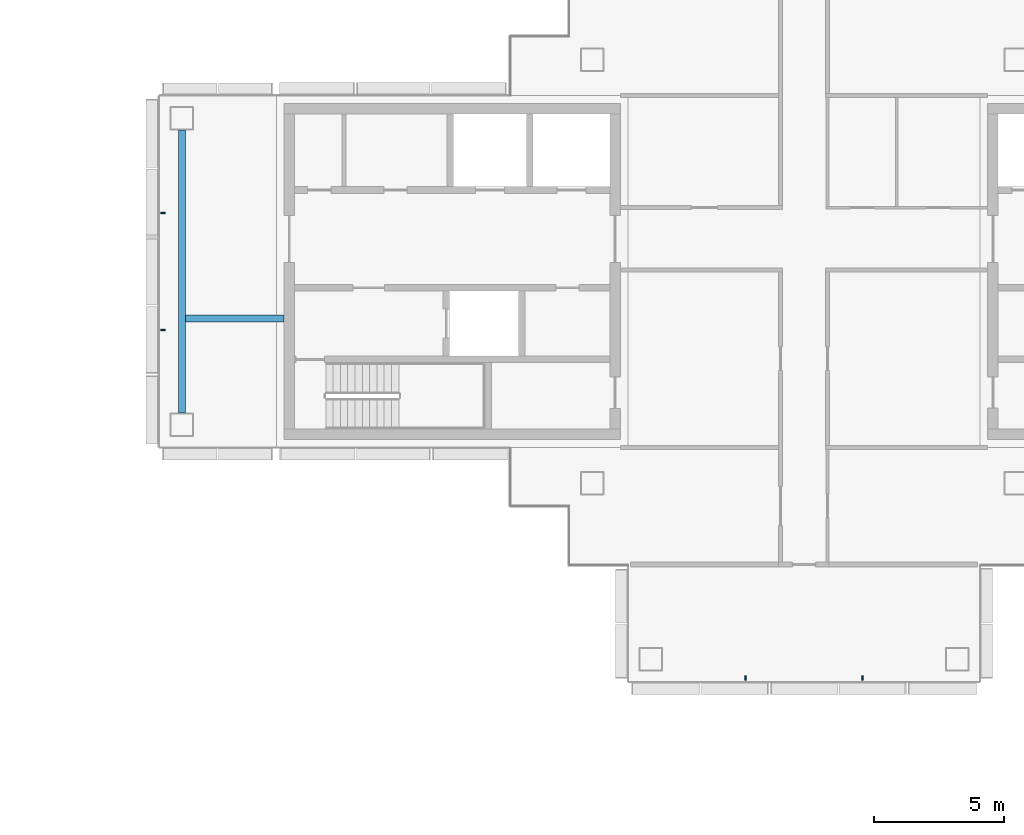
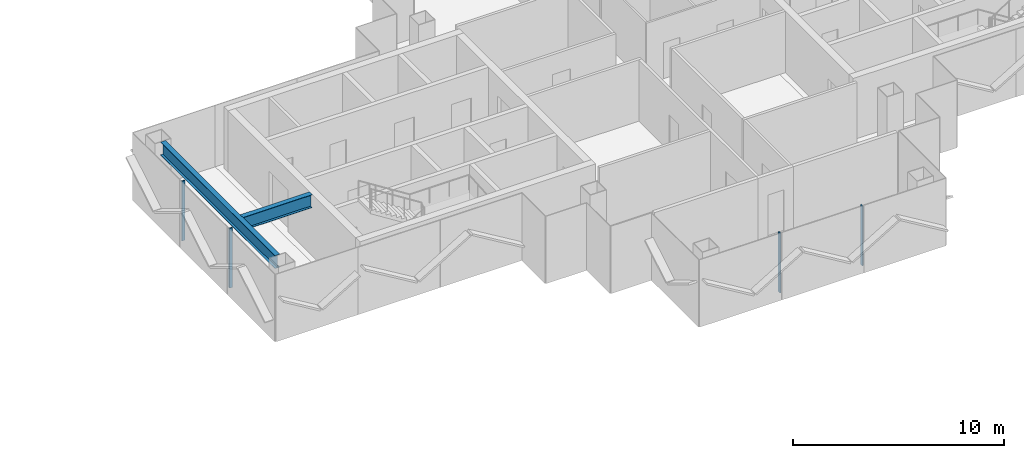
# One storey, part 5 of 17: 4 members, 2 beams, 2 elements without a shape of their own.
"""IFC4 building model written with IfcOpenShell, lengths in metres."""

import ifcopenshell
import ifcopenshell.guid

model = None  # the IFC model being written
_history = None  # IfcOwnerHistory: only IFC2X3 demands one
_inside = {}  # id of a spatial element -> (the spatial element, [elements in it])
_under = {}  # id of a project, library or spatial element -> (it, [spatial elements below it])
_declared = {}  # id of a project -> (the project, [libraries it declares])
_typed = {}  # id of a type object -> (the type object, [elements of that type])
_made_of = {}  # id of a material, layer set ... -> (it, [elements and type objects made of it])


def new_model(schema):
    """Start an empty IFC model of exactly this schema.

    Asked for "IFC4X3", IfcOpenShell would pick the latest addendum, in which some entities
    have other attributes; the version numbers below select the first issue.
    IFC2X3 requires an IfcOwnerHistory on every rooted entity: one is made here for all.
    """
    global model, _history
    if schema == "IFC4X3":
        model = ifcopenshell.file(schema_version=(4, 3, 0, 0))
    else:
        model = ifcopenshell.file(schema=schema)
    _inside.clear()
    _under.clear()
    _declared.clear()
    _typed.clear()
    _made_of.clear()
    _history = None
    if model.schema == "IFC2X3":
        org = make("IfcOrganization", Name="unknown")
        user = make(
            "IfcPersonAndOrganization",
            ThePerson=make("IfcPerson", FamilyName="unknown"),
            TheOrganization=org,
        )
        app = make(
            "IfcApplication",
            ApplicationDeveloper=org,
            Version="unknown",
            ApplicationFullName="unknown",
            ApplicationIdentifier="unknown",
        )
        _history = make(
            "IfcOwnerHistory",
            OwningUser=user,
            OwningApplication=app,
            ChangeAction="ADDED",
            CreationDate=0,
        )
    return model


def make(cls, **values):
    """One entity of the class cls with the attributes given. An attribute that is None is left unset."""
    return model.create_entity(
        cls, **{name: value for name, value in values.items() if value is not None}
    )


def rooted(cls, **values):
    """An entity with a GlobalId (a new one), such as an element, a storey or a relation."""
    return make(cls, GlobalId=ifcopenshell.guid.new(), OwnerHistory=_history, **values)


def si_unit(unit_type, name, prefix=None):
    """IfcSIUnit, for example si_unit("LENGTHUNIT", "METRE", prefix="MILLI")."""
    return make("IfcSIUnit", UnitType=unit_type, Prefix=prefix, Name=name)


def assignment(units):
    """IfcUnitAssignment: the units of a project."""
    return None if units is None else make("IfcUnitAssignment", Units=units)


def point(xyz):
    """IfcCartesianPoint."""
    return None if xyz is None else make("IfcCartesianPoint", Coordinates=xyz)


def direction(xyz):
    """IfcDirection."""
    return None if xyz is None else make("IfcDirection", DirectionRatios=xyz)


def frame(location, z_axis=None, x_axis=None):
    """IfcAxis2Placement3D, a coordinate frame: its origin and axes. An axis left out is left unset."""
    return make(
        "IfcAxis2Placement3D",
        Location=point(location),
        Axis=direction(z_axis),
        RefDirection=direction(x_axis),
    )


def frame_2d(location, x_axis=None):
    """IfcAxis2Placement2D, a coordinate frame in the plane: its origin and x axis."""
    return make(
        "IfcAxis2Placement2D", Location=point(location), RefDirection=direction(x_axis)
    )


def origin():
    """The frame at (0, 0, 0) with its axes left unset."""
    return frame((0.0, 0.0, 0.0))


def origin_2d():
    """The frame at (0, 0) in the plane with its x axis left unset."""
    return frame_2d((0.0, 0.0))


def place(relative_to, where):
    """IfcLocalPlacement: puts the frame where relative to a parent placement (None: the world)."""
    return make(
        "IfcLocalPlacement", PlacementRelTo=relative_to, RelativePlacement=where
    )


def context(
    kind, dimensions, precision=None, world=None, true_north=None, identifier=None
):
    """IfcGeometricRepresentationContext, for example the 3D "Model" context."""
    return make(
        "IfcGeometricRepresentationContext",
        ContextIdentifier=identifier,
        ContextType=kind,
        CoordinateSpaceDimension=dimensions,
        Precision=precision,
        WorldCoordinateSystem=world,
        TrueNorth=true_north,
    )


def subcontext(parent, identifier, kind, view, scale=None):
    """IfcGeometricRepresentationSubContext, for example "Body" below "Model"."""
    return make(
        "IfcGeometricRepresentationSubContext",
        ContextIdentifier=identifier,
        ContextType=kind,
        ParentContext=parent,
        TargetScale=scale,
        TargetView=view,
    )


def project(units=None, contexts=None):
    """IfcProject with its units and contexts."""
    return rooted(
        "IfcProject",
        Name="project",
        RepresentationContexts=contexts,
        UnitsInContext=assignment(units),
    )


def spatial(cls, under=None, at=None, **own):
    """A site, building, storey or space (cls), placed at a placement, below another one or the project."""
    s = rooted(cls, ObjectPlacement=at, **own)
    if under is not None:
        _under.setdefault(under.id(), (under, []))[1].append(s)
    return s


def profile(cls, at=None, kind="AREA", **sizes):
    """A parametric profile (cls). Its sizes go by their IFC names, for example OverallWidth=200.0."""
    return make(cls, ProfileType=kind, Position=at, **sizes)


def rectangle(**sizes):
    """IfcRectangleProfileDef."""
    return profile("IfcRectangleProfileDef", **sizes)


def i_section(**sizes):
    """IfcIShapeProfileDef."""
    return profile("IfcIShapeProfileDef", **sizes)


def extrude(swept, where, along, depth):
    """IfcExtrudedAreaSolid: the profile swept, set in the frame where, extruded along a direction by depth."""
    return make(
        "IfcExtrudedAreaSolid",
        SweptArea=swept,
        Position=where,
        ExtrudedDirection=direction(along),
        Depth=depth,
    )


def shape(context_of_items, identifier, shape_type, items):
    """IfcShapeRepresentation: the items that make up one representation, for example the "Body"."""
    return make(
        "IfcShapeRepresentation",
        ContextOfItems=context_of_items,
        RepresentationIdentifier=identifier,
        RepresentationType=shape_type,
        Items=items,
    )


def material(Name=None, Category=None):
    """IfcMaterial."""
    return make("IfcMaterial", Name=Name, Category=Category)


def layer(
    of_material, thickness, ventilated=None, Name=None, Category=None, Priority=None
):
    """IfcMaterialLayer: one layer of a wall or slab, of a material (None: an air gap)."""
    return make(
        "IfcMaterialLayer",
        Material=of_material,
        LayerThickness=thickness,
        IsVentilated=ventilated,
        Name=Name,
        Category=Category,
        Priority=Priority,
    )


def layer_set(layers, Name=None):
    """IfcMaterialLayerSet."""
    return make("IfcMaterialLayerSet", MaterialLayers=layers, LayerSetName=Name)


def material_profile(
    of_material, cross_section, Name=None, Category=None, Priority=None
):
    """IfcMaterialProfile: a cross section and its material."""
    return make(
        "IfcMaterialProfile",
        Name=Name,
        Material=of_material,
        Profile=cross_section,
        Priority=Priority,
        Category=Category,
    )


def profile_set(profiles, Name=None, composite=None):
    """IfcMaterialProfileSet."""
    return make(
        "IfcMaterialProfileSet",
        Name=Name,
        MaterialProfiles=profiles,
        CompositeProfile=composite,
    )


def made_of(thing, what):
    """Note that an element or type object is made of a material, layer set ...; save() writes the relation."""
    if what is not None:
        _made_of.setdefault(what.id(), (what, []))[1].append(thing)
    return thing


def type_object(cls, material=None, **own):
    """A type object (cls), such as IfcWallType, which elements share."""
    return made_of(rooted(cls, **own), material)


def element(
    cls,
    number,
    at=None,
    inside=None,
    cuts=None,
    type_object=None,
    material=None,
    context=None,
    identifier="Body",
    shape_type=None,
    held_by="IfcProductDefinitionShape",
    body=None,
    shapes=None,
    **own,
):
    """One element of the class cls, such as IfcWall. Its Tag is "e" and its number.

    at: its placement. inside: the storey or other place that contains it. cuts: it is an
    opening in that element (IfcRelVoidsElement). A single representation is given by context,
    identifier, shape_type and body (its items); several are given by shapes. held_by: the class
    of the entity that holds the representations. save() writes the other relations.
    """
    e = rooted(cls, Tag="e%d" % number, ObjectPlacement=at, **own)
    if body is not None:
        shapes = [shape(context, identifier, shape_type, body)]
    if shapes is not None:
        e.Representation = make(held_by, Representations=shapes)
    if inside is not None:
        _inside.setdefault(inside.id(), (inside, []))[1].append(e)
    if cuts is not None:
        rooted(
            "IfcRelVoidsElement", RelatingBuildingElement=cuts, RelatedOpeningElement=e
        )
    if type_object is not None:
        _typed.setdefault(type_object.id(), (type_object, []))[1].append(e)
    return made_of(e, material)


def aggregate(whole, parts):
    """IfcRelAggregates: a whole, such as a stair, and the parts it consists of."""
    return rooted("IfcRelAggregates", RelatingObject=whole, RelatedObjects=parts)


def save(model, path):
    """Write the relations noted so far, then the file.

    IfcRelAggregates (storeys below a building ...), IfcRelContainedInSpatialStructure (elements
    in a storey), IfcRelDefinesByType, IfcRelAssociatesMaterial and IfcRelDeclares: one each for
    every whole, place, type object, material and project.
    """
    for whole, parts in _under.values():
        aggregate(whole, parts)
    for where, things in _inside.values():
        rooted(
            "IfcRelContainedInSpatialStructure",
            RelatedElements=things,
            RelatingStructure=where,
        )
    for kind, things in _typed.values():
        rooted("IfcRelDefinesByType", RelatedObjects=things, RelatingType=kind)
    for what, things in _made_of.values():
        rooted("IfcRelAssociatesMaterial", RelatedObjects=things, RelatingMaterial=what)
    for by, libraries in _declared.values():
        rooted("IfcRelDeclares", RelatingContext=by, RelatedDefinitions=libraries)
    model.write(path)


model = new_model("IFC4")

# Units and contexts
model_context = context("Model", 3, precision=1e-05, world=origin(), true_north=direction((0.0, 1.0)))
body_context = subcontext(model_context, "Body", "Model", "MODEL_VIEW")
ifc_project = project(units=[si_unit("LENGTHUNIT", "METRE"), si_unit("AREAUNIT", "SQUARE_METRE"), si_unit("VOLUMEUNIT", "CUBIC_METRE"), si_unit("PLANEANGLEUNIT", "RADIAN"), si_unit("MASSUNIT", "GRAM", prefix="KILO")], contexts=[model_context])

# Site, building, storey
site_placement = place(None, origin())
site = spatial("IfcSite", under=ifc_project, at=site_placement, CompositionType="ELEMENT")
building_placement = place(site_placement, origin())
building = spatial("IfcBuilding", under=site, at=building_placement, Name="Shamsa Quay Exchange Towers", CompositionType="ELEMENT")
storey_placement = place(building_placement, frame((0.0, 0.0, 249.89990234375)))
storey = spatial("IfcBuildingStorey", under=building, at=storey_placement, Name="L60", CompositionType="ELEMENT", Elevation=249.89990234375)

# Curtain wall, members
ifc_material_1 = material(Name="Aluminium EN AW-6063 T6, black anodised", Category="aluminium")
ifc_layer = layer(ifc_material_1, 0.280029296875)
ifc_layer_set = layer_set([ifc_layer], Name="CW-1 UNITISED VISION GLASS")
curtain_wall_type = type_object("IfcCurtainWallType", Name="CW-1 UNITISED VISION GLASS", PredefinedType="NOTDEFINED", material=ifc_layer_set)
curtain_wall_1_placement = place(storey_placement, origin())
curtain_wall_1 = element("IfcCurtainWall", 1, at=curtain_wall_1_placement, inside=storey, type_object=curtain_wall_type, Name="CW1 T2-END-V+ L60", PredefinedType="NOTDEFINED")
ifc_material_profile_1 = material_profile(ifc_material_1, rectangle(XDim=0.179931640625, YDim=0.06005859375, at=origin_2d()), Name="MU60x180")
ifc_profile_set_1 = profile_set([ifc_material_profile_1], Name="Aluminium EN AW-6063 T6, black anodised")
member_type = type_object("IfcMemberType", Name="CW1 MULLION 60x180", PredefinedType="MULLION", material=ifc_profile_set_1)
member_1_placement = place(storey_placement, frame((9.14990234375, 2.25, 0.0)))
member_1 = element("IfcMember", 2, at=member_1_placement, type_object=member_type, Name="CW1 mullion", PredefinedType="MULLION", context=body_context, shape_type="SweptSolid", body=[
    extrude(rectangle(XDim=0.179931640625, YDim=0.06005859375, at=origin_2d()), origin(), (0.0, 0.0, 1.0), 3.4501953125),
])
member_2_placement = place(storey_placement, frame((9.14990234375, -2.25, 0.0)))
member_2 = element("IfcMember", 3, at=member_2_placement, type_object=member_type, Name="CW1 mullion", PredefinedType="MULLION", context=body_context, shape_type="SweptSolid", body=[
    extrude(rectangle(XDim=0.179931640625, YDim=0.06005859375, at=origin_2d()), origin(), (0.0, 0.0, 1.0), 3.4501953125),
])
aggregate(curtain_wall_1, [member_1, member_2])

curtain_wall_2_placement = place(storey_placement, origin())
curtain_wall_2 = element("IfcCurtainWall", 4, at=curtain_wall_2_placement, inside=storey, type_object=curtain_wall_type, Name="CW1 T2-END-U- L60", PredefinedType="NOTDEFINED")
member_3_placement = place(storey_placement, frame((31.5, -15.60009765625, 0.0), z_axis=(0.0, 0.0, 1.0), x_axis=(0.0, 1.0, 0.0)))
member_3 = element("IfcMember", 5, at=member_3_placement, type_object=member_type, Name="CW1 mullion", PredefinedType="MULLION", context=body_context, shape_type="SweptSolid", body=[
    extrude(rectangle(XDim=0.179931640625, YDim=0.06005859375, at=origin_2d()), origin(), (0.0, 0.0, 1.0), 3.4501953125),
])
member_4_placement = place(storey_placement, frame((36.0, -15.60009765625, 0.0), z_axis=(0.0, 0.0, 1.0), x_axis=(0.0, 1.0, 0.0)))
member_4 = element("IfcMember", 6, at=member_4_placement, type_object=member_type, Name="CW1 mullion", PredefinedType="MULLION", context=body_context, shape_type="SweptSolid", body=[
    extrude(rectangle(XDim=0.179931640625, YDim=0.06005859375, at=origin_2d()), origin(), (0.0, 0.0, 1.0), 3.4501953125),
])
aggregate(curtain_wall_2, [member_3, member_4])

# Beams
ifc_material_2 = material(Name="Steel S355", Category="steel")
ifc_material_profile_2 = material_profile(ifc_material_2, i_section(OverallWidth=0.26611328125, OverallDepth=0.7578125, WebThickness=0.013916015625, FlangeThickness=0.019287109375, at=origin_2d()), Name="W30x108")
ifc_profile_set_2 = profile_set([ifc_material_profile_2], Name="Steel S355")
beam_type = type_object("IfcBeamType", Name="End-zone beam W30x108", PredefinedType="BEAM", material=ifc_profile_set_2)
beam_1_placement = place(storey_placement, frame((9.875, -5.425048828125, 3.171142578125), z_axis=(0.0, 1.0, 0.0), x_axis=(-1.0, 0.0, 0.0)))
element("IfcBeam", 7, at=beam_1_placement, inside=storey, type_object=beam_type, Name="End beam T2 V+ end zone L60", PredefinedType="BEAM", context=body_context, shape_type="SweptSolid", body=[
    extrude(i_section(OverallWidth=0.26611328125, OverallDepth=0.7578125, WebThickness=0.013916015625, FlangeThickness=0.019287109375, at=origin_2d()), origin(), (0.0, 0.0, 1.0), 10.85009765625),
])
beam_2_placement = place(storey_placement, frame((13.800048828125, -1.800048828125, 3.171142578125), z_axis=(-1.0, 0.0, 0.0), x_axis=(0.0, -1.0, 0.0)))
element("IfcBeam", 8, at=beam_2_placement, inside=storey, type_object=beam_type, Name="Spine beam T2 V+ end zone L60", PredefinedType="BEAM", context=body_context, shape_type="SweptSolid", body=[
    extrude(i_section(OverallWidth=0.26611328125, OverallDepth=0.7578125, WebThickness=0.013916015625, FlangeThickness=0.019287109375, at=origin_2d()), origin(), (0.0, 0.0, 1.0), 3.7919921875),
])

save(model, "model.ifc")
